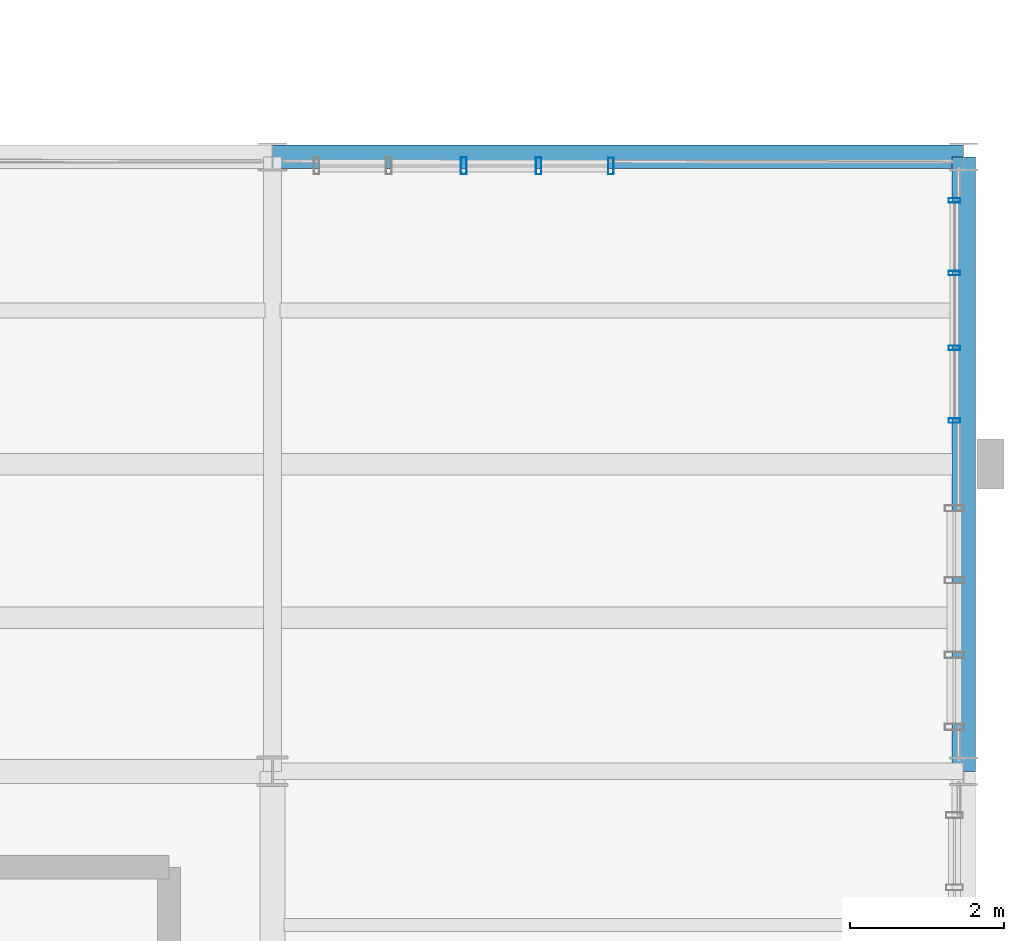
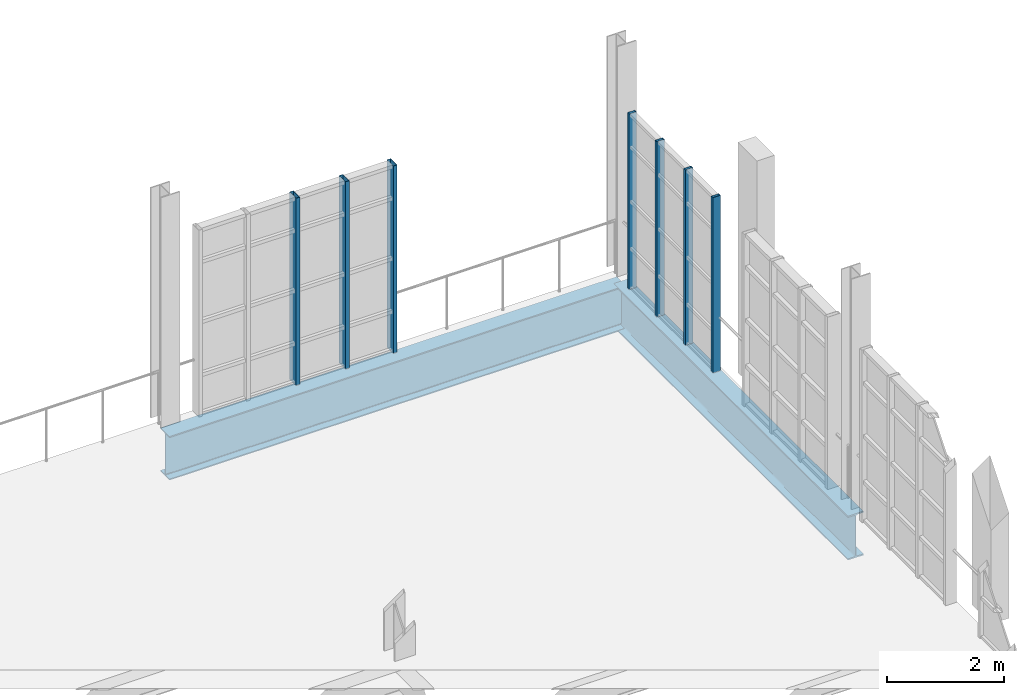
# One storey, part 60 of 122: 7 members, 2 beams, 2 elements without a shape of their own.
"""IFC4 building model written with IfcOpenShell, lengths in metres."""

from ifc_helpers import new_model, si_unit, direction, frame, origin, origin_2d, place, context, subcontext, project, spatial, hollow_rectangle, i_section, extrude, material, layer, layer_set, material_profile, profile_set, type_object, element, aggregate, save


model = new_model("IFC4")

# Units and contexts
model_context = context("Model", 3, precision=1e-05, world=origin(), true_north=direction((0.0, 1.0)))
body_context = subcontext(model_context, "Body", "Model", "MODEL_VIEW")
ifc_project = project(units=[si_unit("LENGTHUNIT", "METRE"), si_unit("AREAUNIT", "SQUARE_METRE"), si_unit("VOLUMEUNIT", "CUBIC_METRE"), si_unit("PLANEANGLEUNIT", "RADIAN"), si_unit("MASSUNIT", "GRAM", prefix="KILO"), si_unit("THERMODYNAMICTEMPERATUREUNIT", "KELVIN"), si_unit("POWERUNIT", "WATT")], contexts=[model_context])

# Site, building, storey
site_placement = place(None, origin())
site = spatial("IfcSite", under=ifc_project, at=site_placement, CompositionType="ELEMENT")
building_placement = place(site_placement, origin())
building = spatial("IfcBuilding", under=site, at=building_placement, Name="Zelmaris Science Centre", CompositionType="ELEMENT")
storey_placement = place(building_placement, frame((0.0, 0.0, 10.800048828125)))
storey = spatial("IfcBuildingStorey", under=building, at=storey_placement, Name="L02", CompositionType="ELEMENT", Elevation=10.800048828125)

# Curtain wall, members
ifc_material_1 = material(Name="Anodised architectural aluminium 6063-T6", Category="aluminium")
ifc_layer_1 = layer(ifc_material_1, 0.219970703125, Name="Anodised architectural aluminium 6063-T6")
ifc_layer_set_1 = layer_set([ifc_layer_1], Name="Anodised architectural aluminium 6063-T6")
curtain_wall_type_1 = type_object("IfcCurtainWallType", Name="Curtain Wall CW-04", PredefinedType="USERDEFINED", material=ifc_layer_set_1)
curtain_wall_1_placement = place(storey_placement, origin())
curtain_wall_1 = element("IfcCurtainWall", 1, at=curtain_wall_1_placement, inside=storey, type_object=curtain_wall_type_1, Name="L02 Unitised curtain wall 224", ObjectType="GLAZED CURTAIN WALL", PredefinedType="USERDEFINED")
ifc_material_profile_1 = material_profile(ifc_material_1, hollow_rectangle(XDim=0.06005859375, YDim=0.14990234375, WallThickness=0.00341796875, at=origin_2d()), Name="ALU-MUL-60X150")
ifc_profile_set_1 = profile_set([ifc_material_profile_1], Name="Anodised architectural aluminium 6063-T6")
member_type_1 = type_object("IfcMemberType", Name="ALU-MUL-60X150", PredefinedType="MULLION", material=ifc_profile_set_1)
member_1_placement = place(storey_placement, frame((143.8798828125, 55.433837890625, -0.01513671875), z_axis=(0.0, 0.0, 1.0), x_axis=(0.0, -1.0, 0.0)))
member_1 = element("IfcMember", 2, at=member_1_placement, type_object=member_type_1, Name="CW-04 mullion 1", PredefinedType="MULLION", context=body_context, shape_type="SweptSolid", body=[
    extrude(hollow_rectangle(XDim=0.06005859375, YDim=0.14990234375, WallThickness=0.00341796875, at=origin_2d()), origin(), (0.0, 0.0, 1.0), 3.6591796875),
])
member_2_placement = place(storey_placement, frame((143.8798828125, 54.486572265625, -0.01513671875), z_axis=(0.0, 0.0, 1.0), x_axis=(0.0, -1.0, 0.0)))
member_2 = element("IfcMember", 3, at=member_2_placement, type_object=member_type_1, Name="CW-04 mullion 2", PredefinedType="MULLION", context=body_context, shape_type="SweptSolid", body=[
    extrude(hollow_rectangle(XDim=0.06005859375, YDim=0.14990234375, WallThickness=0.00341796875, at=origin_2d()), origin(), (0.0, 0.0, 1.0), 3.6591796875),
])
member_3_placement = place(storey_placement, frame((143.8798828125, 53.51318359375, -0.01513671875), z_axis=(0.0, 0.0, 1.0), x_axis=(0.0, -1.0, 0.0)))
member_3 = element("IfcMember", 4, at=member_3_placement, type_object=member_type_1, Name="CW-04 mullion 3", PredefinedType="MULLION", context=body_context, shape_type="SweptSolid", body=[
    extrude(hollow_rectangle(XDim=0.06005859375, YDim=0.14990234375, WallThickness=0.00341796875, at=origin_2d()), origin(), (0.0, 0.0, 1.0), 3.6591796875),
])
member_4_placement = place(storey_placement, frame((143.8798828125, 52.56591796875, -0.01513671875), z_axis=(0.0, 0.0, 1.0), x_axis=(0.0, -1.0, 0.0)))
member_4 = element("IfcMember", 5, at=member_4_placement, type_object=member_type_1, Name="CW-04 mullion 4", PredefinedType="MULLION", context=body_context, shape_type="SweptSolid", body=[
    extrude(hollow_rectangle(XDim=0.06005859375, YDim=0.14990234375, WallThickness=0.00341796875, at=origin_2d()), origin(), (0.0, 0.0, 1.0), 3.6591796875),
])
aggregate(curtain_wall_1, [member_1, member_2, member_3, member_4])

ifc_layer_2 = layer(ifc_material_1, 0.199951171875, Name="Anodised architectural aluminium 6063-T6")
ifc_layer_set_2 = layer_set([ifc_layer_2], Name="Anodised architectural aluminium 6063-T6")
curtain_wall_type_2 = type_object("IfcCurtainWallType", Name="Curtain Wall CW-02", PredefinedType="USERDEFINED", material=ifc_layer_set_2)
curtain_wall_2_placement = place(storey_placement, origin())
curtain_wall_2 = element("IfcCurtainWall", 6, at=curtain_wall_2_placement, inside=storey, type_object=curtain_wall_type_2, Name="L02 Unitised curtain wall 222", ObjectType="GLAZED CURTAIN WALL", PredefinedType="USERDEFINED")
ifc_material_profile_2 = material_profile(ifc_material_1, hollow_rectangle(XDim=0.074951171875, YDim=0.219970703125, WallThickness=0.0048828125, at=origin_2d()), Name="ALU-MUL-75X220")
ifc_profile_set_2 = profile_set([ifc_material_profile_2], Name="Anodised architectural aluminium 6063-T6")
member_type_2 = type_object("IfcMemberType", Name="ALU-MUL-75X220", PredefinedType="MULLION", material=ifc_profile_set_2)
member_5_placement = place(storey_placement, frame((137.489990234375, 55.883056640625, -0.01513671875), z_axis=(0.0, 0.0, 1.0), x_axis=(0.99999988059, -0.000488692171, 0.0)))
member_5 = element("IfcMember", 7, at=member_5_placement, type_object=member_type_2, Name="CW-02 mullion 3", PredefinedType="MULLION", context=body_context, shape_type="SweptSolid", body=[
    extrude(hollow_rectangle(XDim=0.074951171875, YDim=0.219970703125, WallThickness=0.0048828125, at=origin_2d()), origin(), (0.0, 0.0, 1.0), 3.908203125),
])
member_6_placement = place(storey_placement, frame((138.46484375, 55.882568359375, -0.01513671875), z_axis=(0.0, 0.0, 1.0), x_axis=(0.99999988059, -0.000488692171, 0.0)))
member_6 = element("IfcMember", 8, at=member_6_placement, type_object=member_type_2, Name="CW-02 mullion 4", PredefinedType="MULLION", context=body_context, shape_type="SweptSolid", body=[
    extrude(hollow_rectangle(XDim=0.074951171875, YDim=0.219970703125, WallThickness=0.0048828125, at=origin_2d()), origin(), (0.0, 0.0, 1.0), 3.908203125),
])
member_7_placement = place(storey_placement, frame((139.406494140625, 55.88232421875, -0.01513671875), z_axis=(0.0, 0.0, 1.0), x_axis=(0.99999988059, -0.000488692171, 0.0)))
member_7 = element("IfcMember", 9, at=member_7_placement, type_object=member_type_2, Name="CW-02 mullion 5", PredefinedType="MULLION", context=body_context, shape_type="SweptSolid", body=[
    extrude(hollow_rectangle(XDim=0.074951171875, YDim=0.219970703125, WallThickness=0.0048828125, at=origin_2d()), origin(), (0.0, 0.0, 1.0), 3.908203125),
])
aggregate(curtain_wall_2, [member_5, member_6, member_7])

# Beams
ifc_material_2 = material(Name="Steel ASTM A992 Grade 50", Category="steel")
ifc_material_profile_3 = material_profile(ifc_material_2, i_section(OverallWidth=0.304931640625, OverallDepth=0.9189453125, WebThickness=0.017333984375, FlangeThickness=0.02783203125, FilletRadius=0.02392578125, at=origin_2d()), Name="W36X170")
ifc_profile_set_3 = profile_set([ifc_material_profile_3], Name="Steel ASTM A992 Grade 50")
beam_type_1 = type_object("IfcBeamType", Name="Beam G-26 W36X170", PredefinedType="BEAM", material=ifc_profile_set_3)
beam_1_placement = place(storey_placement, frame((144.0, 48.0, -0.719482421875), z_axis=(0.0, 1.0, 0.0), x_axis=(-1.0, 0.0, 0.0)))
element("IfcBeam", 10, at=beam_1_placement, inside=storey, type_object=beam_type_1, Name="L02 North-south girder 542", PredefinedType="BEAM", context=body_context, shape_type="SweptSolid", body=[
    extrude(i_section(OverallWidth=0.304931640625, OverallDepth=0.9189453125, WebThickness=0.017333984375, FlangeThickness=0.02783203125, FilletRadius=0.02392578125, at=origin_2d()), origin(), (0.0, 0.0, 1.0), 8.0),
])
ifc_material_profile_4 = material_profile(ifc_material_2, i_section(OverallWidth=0.304931640625, OverallDepth=0.912109375, WebThickness=0.015869140625, FlangeThickness=0.02392578125, FilletRadius=0.02392578125, at=origin_2d()), Name="W36X150")
ifc_profile_set_4 = profile_set([ifc_material_profile_4], Name="Steel ASTM A992 Grade 50")
beam_type_2 = type_object("IfcBeamType", Name="Beam G-27 W36X150", PredefinedType="BEAM", material=ifc_profile_set_4)
beam_2_placement = place(storey_placement, frame((135.0, 56.0, -0.716064453125), z_axis=(1.0, 0.0, 0.0), x_axis=(0.0, 1.0, 0.0)))
element("IfcBeam", 11, at=beam_2_placement, inside=storey, type_object=beam_type_2, Name="L02 East-west girder 574", PredefinedType="BEAM", context=body_context, shape_type="SweptSolid", body=[
    extrude(i_section(OverallWidth=0.304931640625, OverallDepth=0.912109375, WebThickness=0.015869140625, FlangeThickness=0.02392578125, FilletRadius=0.02392578125, at=origin_2d()), origin(), (0.0, 0.0, 1.0), 9.0),
])

save(model, "model.ifc")
